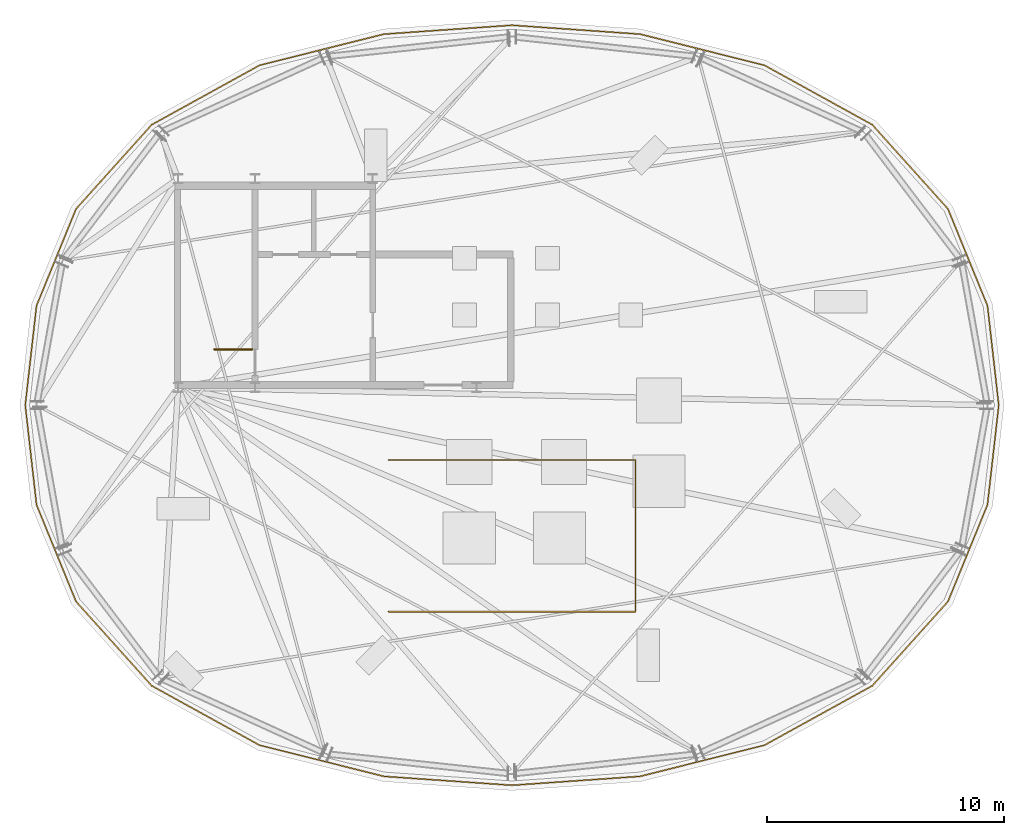
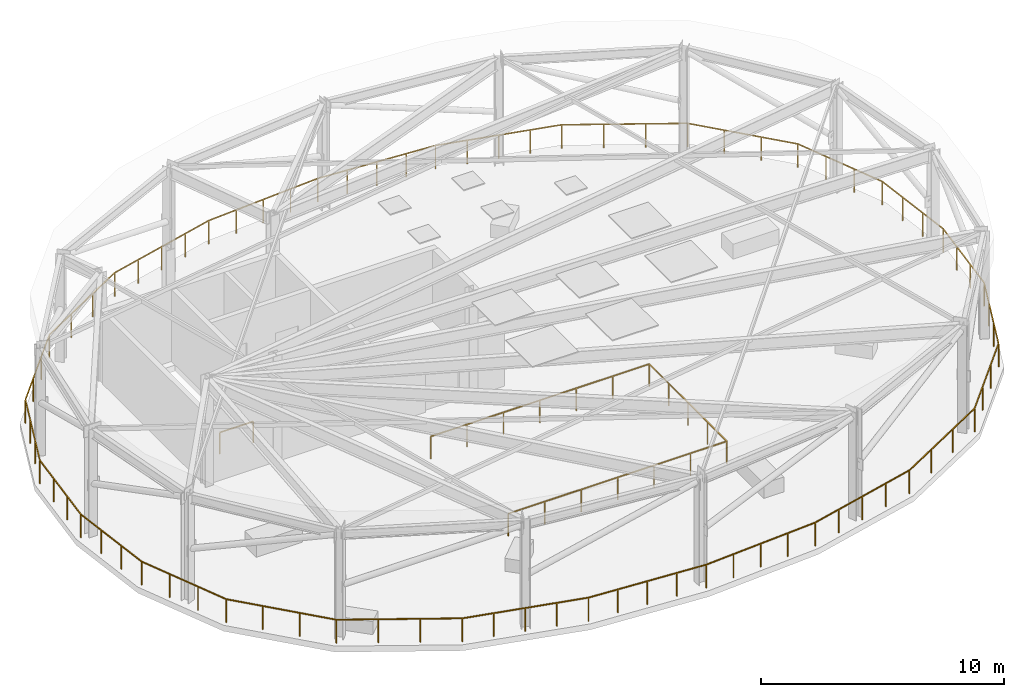
# One storey, part 6 of 6: 3 railings.
"""IFC4 building model written with IfcOpenShell, lengths in metres."""

from ifc_helpers import new_model, si_unit, direction, frame, origin, origin_2d, place, context, subcontext, project, spatial, rectangle, extrude, material, type_object, element, save


model = new_model("IFC4")

# Units and contexts
model_context = context("Model", 3, precision=1e-05, world=origin(), true_north=direction((0.0, 1.0)))
body_context = subcontext(model_context, "Body", "Model", "MODEL_VIEW")
ifc_project = project(units=[si_unit("LENGTHUNIT", "METRE"), si_unit("AREAUNIT", "SQUARE_METRE"), si_unit("VOLUMEUNIT", "CUBIC_METRE"), si_unit("PLANEANGLEUNIT", "RADIAN"), si_unit("MASSUNIT", "GRAM", prefix="KILO")], contexts=[model_context])

# Site, building, storey
site_placement = place(None, origin())
site = spatial("IfcSite", under=ifc_project, at=site_placement, CompositionType="ELEMENT")
building_placement = place(site_placement, origin())
building = spatial("IfcBuilding", under=site, at=building_placement, Name="Haldorwick Loom Tower", CompositionType="ELEMENT")
storey_placement = place(building_placement, frame((0.0, 0.0, 300.5)))
storey = spatial("IfcBuildingStorey", under=building, at=storey_placement, Name="RF", CompositionType="ELEMENT", Elevation=300.5)

# Railings
ifc_material_1 = material(Name="Galvanized Steel CSA G40.21 350W", Category="steel")
railing_type_1 = type_object("IfcRailingType", Name="ARC-RLG-BAL115", PredefinedType="BALUSTRADE", material=ifc_material_1)
railing_1_placement = place(storey_placement, frame((30.800048828125, 17.300048828125, 0.0)))
element("IfcRailing", 1, at=railing_1_placement, inside=storey, type_object=railing_type_1, Name="RF Atrium Lightwell Guardrail", PredefinedType="BALUSTRADE", context=body_context, shape_type="SweptSolid", body=[
    extrude(rectangle(XDim=0.048095703125, YDim=0.048095703125, at=origin_2d()), frame((0.0, 0.0, 1.1259765625), z_axis=(1.0, 0.0, 0.0), x_axis=(0.0, 1.0, 0.0)), (0.0, 0.0, 1.0), 10.39990234375),
    extrude(rectangle(XDim=0.048095703125, YDim=0.048095703125, at=origin_2d()), frame((10.39990234375, 0.0, 1.1259765625), z_axis=(0.0, 1.0, 0.0), x_axis=(-1.0, 0.0, 0.0)), (0.0, 0.0, 1.0), 6.39990234375),
    extrude(rectangle(XDim=0.048095703125, YDim=0.048095703125, at=origin_2d()), frame((10.39990234375, 6.39990234375, 1.1259765625), z_axis=(-1.0, 0.0, 0.0), x_axis=(0.0, -1.0, 0.0)), (0.0, 0.0, 1.0), 10.39990234375),
    extrude(rectangle(XDim=0.0419921875, YDim=0.0419921875, at=origin_2d()), origin(), (0.0, 0.0, 1.0), 1.101806640625),
    extrude(rectangle(XDim=0.0419921875, YDim=0.0419921875, at=origin_2d()), frame((1.7333984375, 0.0, 0.0)), (0.0, 0.0, 1.0), 1.101806640625),
    extrude(rectangle(XDim=0.0419921875, YDim=0.0419921875, at=origin_2d()), frame((3.466552734375, 0.0, 0.0)), (0.0, 0.0, 1.0), 1.101806640625),
    extrude(rectangle(XDim=0.0419921875, YDim=0.0419921875, at=origin_2d()), frame((5.199951171875, 0.0, 0.0)), (0.0, 0.0, 1.0), 1.101806640625),
    extrude(rectangle(XDim=0.0419921875, YDim=0.0419921875, at=origin_2d()), frame((6.933349609375, 0.0, 0.0)), (0.0, 0.0, 1.0), 1.101806640625),
    extrude(rectangle(XDim=0.0419921875, YDim=0.0419921875, at=origin_2d()), frame((8.66650390625, 0.0, 0.0)), (0.0, 0.0, 1.0), 1.101806640625),
    extrude(rectangle(XDim=0.0419921875, YDim=0.0419921875, at=origin_2d()), frame((10.39990234375, 0.0, 0.0)), (0.0, 0.0, 1.0), 1.101806640625),
    extrude(rectangle(XDim=0.0419921875, YDim=0.0419921875, at=origin_2d()), frame((10.39990234375, 1.60009765625, 0.0)), (0.0, 0.0, 1.0), 1.101806640625),
    extrude(rectangle(XDim=0.0419921875, YDim=0.0419921875, at=origin_2d()), frame((10.39990234375, 3.199951171875, 0.0)), (0.0, 0.0, 1.0), 1.101806640625),
    extrude(rectangle(XDim=0.0419921875, YDim=0.0419921875, at=origin_2d()), frame((10.39990234375, 4.7998046875, 0.0)), (0.0, 0.0, 1.0), 1.101806640625),
    extrude(rectangle(XDim=0.0419921875, YDim=0.0419921875, at=origin_2d()), frame((10.39990234375, 6.39990234375, 0.0)), (0.0, 0.0, 1.0), 1.101806640625),
    extrude(rectangle(XDim=0.0419921875, YDim=0.0419921875, at=origin_2d()), frame((8.66650390625, 6.39990234375, 0.0)), (0.0, 0.0, 1.0), 1.101806640625),
    extrude(rectangle(XDim=0.0419921875, YDim=0.0419921875, at=origin_2d()), frame((6.933349609375, 6.39990234375, 0.0)), (0.0, 0.0, 1.0), 1.101806640625),
    extrude(rectangle(XDim=0.0419921875, YDim=0.0419921875, at=origin_2d()), frame((5.199951171875, 6.39990234375, 0.0)), (0.0, 0.0, 1.0), 1.101806640625),
    extrude(rectangle(XDim=0.0419921875, YDim=0.0419921875, at=origin_2d()), frame((3.466552734375, 6.39990234375, 0.0)), (0.0, 0.0, 1.0), 1.101806640625),
    extrude(rectangle(XDim=0.0419921875, YDim=0.0419921875, at=origin_2d()), frame((1.7333984375, 6.39990234375, 0.0)), (0.0, 0.0, 1.0), 1.101806640625),
    extrude(rectangle(XDim=0.0419921875, YDim=0.0419921875, at=origin_2d()), frame((0.0, 6.39990234375, 0.0)), (0.0, 0.0, 1.0), 1.101806640625),
])
railing_type_2 = type_object("IfcRailingType", Name="ARC-RLG-BAL120", PredefinedType="BALUSTRADE", material=ifc_material_1)
railing_2_placement = place(storey_placement, frame((56.51220703125, 26.0, 0.0)))
element("IfcRailing", 2, at=railing_2_placement, inside=storey, type_object=railing_type_2, Name="RF Botanical Sky-Garden Perimeter Guardrail", PredefinedType="BALUSTRADE", context=body_context, shape_type="SweptSolid", body=[
    extrude(rectangle(XDim=0.048095703125, YDim=0.048095703125, at=origin_2d()), frame((0.0, 0.0, 1.17578125), z_axis=(-0.11255797656, -0.993645158954, 0.0), x_axis=(0.993645158954, -0.11255797656, 0.0)), (0.0, 0.0, 1.0), 4.220947265625),
    extrude(rectangle(XDim=0.048095703125, YDim=0.048095703125, at=origin_2d()), frame((-0.47509765625, -4.194091796875, 1.17578125), z_axis=(-0.377860155342, -0.925862680426, 0.0), x_axis=(0.925862680426, -0.377860155342, 0.0)), (0.0, 0.0, 1.0), 4.4052734375),
    extrude(rectangle(XDim=0.048095703125, YDim=0.048095703125, at=origin_2d()), frame((-2.1396484375, -8.272705078125, 1.17578125), z_axis=(-0.668614193504, -0.743609481008, 0.0), x_axis=(0.743609481008, -0.668614193504, 0.0)), (0.0, 0.0, 1.0), 4.7724609375),
    extrude(rectangle(XDim=0.048095703125, YDim=0.048095703125, at=origin_2d()), frame((-5.33056640625, -11.821533203125, 1.17578125), z_axis=(-0.87574980105, -0.48276524933, 0.0), x_axis=(0.48276524933, -0.87574980105, 0.0)), (0.0, 0.0, 1.0), 5.191162109375),
    extrude(rectangle(XDim=0.048095703125, YDim=0.048095703125, at=origin_2d()), frame((-9.876708984375, -14.32763671875, 1.17578125), z_axis=(-0.970081359185, -0.242780057998, 0.0), x_axis=(0.242780057998, -0.970081359185, 0.0)), (0.0, 0.0, 1.0), 5.405029296875),
    extrude(rectangle(XDim=0.048095703125, YDim=0.048095703125, at=origin_2d()), frame((-15.1201171875, -15.639892578125, 1.17578125), z_axis=(-0.997596640489, -0.069288836662, 0.0), x_axis=(0.069288836662, -0.997596640489, 0.0)), (0.0, 0.0, 1.0), 5.405029296875),
    extrude(rectangle(XDim=0.048095703125, YDim=0.048095703125, at=origin_2d()), frame((-20.51220703125, -16.014404296875, 1.17578125), z_axis=(-0.997596640489, 0.069288836662, 0.0), x_axis=(-0.069288836662, -0.997596640489, 0.0)), (0.0, 0.0, 1.0), 5.405029296875),
    extrude(rectangle(XDim=0.048095703125, YDim=0.048095703125, at=origin_2d()), frame((-25.904296875, -15.639892578125, 1.17578125), z_axis=(-0.970081359185, 0.242780057998, 0.0), x_axis=(-0.242780057998, -0.970081359185, 0.0)), (0.0, 0.0, 1.0), 5.405029296875),
    extrude(rectangle(XDim=0.048095703125, YDim=0.048095703125, at=origin_2d()), frame((-31.147705078125, -14.32763671875, 1.17578125), z_axis=(-0.87574980105, 0.48276524933, 0.0), x_axis=(-0.48276524933, -0.87574980105, 0.0)), (0.0, 0.0, 1.0), 5.191162109375),
    extrude(rectangle(XDim=0.048095703125, YDim=0.048095703125, at=origin_2d()), frame((-35.69384765625, -11.821533203125, 1.17578125), z_axis=(-0.668614193504, 0.743609481008, 0.0), x_axis=(-0.743609481008, -0.668614193504, 0.0)), (0.0, 0.0, 1.0), 4.7724609375),
    extrude(rectangle(XDim=0.048095703125, YDim=0.048095703125, at=origin_2d()), frame((-38.884765625, -8.272705078125, 1.17578125), z_axis=(-0.377860155342, 0.925862680426, 0.0), x_axis=(-0.925862680426, -0.377860155342, 0.0)), (0.0, 0.0, 1.0), 4.4052734375),
    extrude(rectangle(XDim=0.048095703125, YDim=0.048095703125, at=origin_2d()), frame((-40.54931640625, -4.194091796875, 1.17578125), z_axis=(-0.11255797656, 0.993645158954, 0.0), x_axis=(-0.993645158954, -0.11255797656, 0.0)), (0.0, 0.0, 1.0), 4.220947265625),
    extrude(rectangle(XDim=0.048095703125, YDim=0.048095703125, at=origin_2d()), frame((-41.0244140625, 0.0, 1.17578125), z_axis=(0.11255797656, 0.993645158954, 0.0), x_axis=(-0.993645158954, 0.11255797656, 0.0)), (0.0, 0.0, 1.0), 4.220947265625),
    extrude(rectangle(XDim=0.048095703125, YDim=0.048095703125, at=origin_2d()), frame((-40.54931640625, 4.194091796875, 1.17578125), z_axis=(0.377860155342, 0.925862680426, 0.0), x_axis=(-0.925862680426, 0.377860155342, 0.0)), (0.0, 0.0, 1.0), 4.4052734375),
    extrude(rectangle(XDim=0.048095703125, YDim=0.048095703125, at=origin_2d()), frame((-38.884765625, 8.272705078125, 1.17578125), z_axis=(0.668614193504, 0.743609481008, 0.0), x_axis=(-0.743609481008, 0.668614193504, 0.0)), (0.0, 0.0, 1.0), 4.7724609375),
    extrude(rectangle(XDim=0.048095703125, YDim=0.048095703125, at=origin_2d()), frame((-35.69384765625, 11.821533203125, 1.17578125), z_axis=(0.87574980105, 0.48276524933, 0.0), x_axis=(-0.48276524933, 0.87574980105, 0.0)), (0.0, 0.0, 1.0), 5.191162109375),
    extrude(rectangle(XDim=0.048095703125, YDim=0.048095703125, at=origin_2d()), frame((-31.147705078125, 14.32763671875, 1.17578125), z_axis=(0.970081359185, 0.242780057998, 0.0), x_axis=(-0.242780057998, 0.970081359185, 0.0)), (0.0, 0.0, 1.0), 5.405029296875),
    extrude(rectangle(XDim=0.048095703125, YDim=0.048095703125, at=origin_2d()), frame((-25.904296875, 15.639892578125, 1.17578125), z_axis=(0.997596640489, 0.069288836662, 0.0), x_axis=(-0.069288836662, 0.997596640489, 0.0)), (0.0, 0.0, 1.0), 5.405029296875),
    extrude(rectangle(XDim=0.048095703125, YDim=0.048095703125, at=origin_2d()), frame((-20.51220703125, 16.014404296875, 1.17578125), z_axis=(0.997596640489, -0.069288836662, 0.0), x_axis=(0.069288836662, 0.997596640489, 0.0)), (0.0, 0.0, 1.0), 5.405029296875),
    extrude(rectangle(XDim=0.048095703125, YDim=0.048095703125, at=origin_2d()), frame((-15.1201171875, 15.639892578125, 1.17578125), z_axis=(0.970081359185, -0.242780057998, 0.0), x_axis=(0.242780057998, 0.970081359185, 0.0)), (0.0, 0.0, 1.0), 5.405029296875),
    extrude(rectangle(XDim=0.048095703125, YDim=0.048095703125, at=origin_2d()), frame((-9.876708984375, 14.32763671875, 1.17578125), z_axis=(0.87574980105, -0.48276524933, 0.0), x_axis=(0.48276524933, 0.87574980105, 0.0)), (0.0, 0.0, 1.0), 5.191162109375),
    extrude(rectangle(XDim=0.048095703125, YDim=0.048095703125, at=origin_2d()), frame((-5.33056640625, 11.821533203125, 1.17578125), z_axis=(0.668614193504, -0.743609481008, 0.0), x_axis=(0.743609481008, 0.668614193504, 0.0)), (0.0, 0.0, 1.0), 4.7724609375),
    extrude(rectangle(XDim=0.048095703125, YDim=0.048095703125, at=origin_2d()), frame((-2.1396484375, 8.272705078125, 1.17578125), z_axis=(0.377860155342, -0.925862680426, 0.0), x_axis=(0.925862680426, 0.377860155342, 0.0)), (0.0, 0.0, 1.0), 4.4052734375),
    extrude(rectangle(XDim=0.048095703125, YDim=0.048095703125, at=origin_2d()), frame((-0.47509765625, 4.194091796875, 1.17578125), z_axis=(0.11255797656, -0.993645158954, 0.0), x_axis=(0.993645158954, 0.11255797656, 0.0)), (0.0, 0.0, 1.0), 4.220947265625),
    extrude(rectangle(XDim=0.0419921875, YDim=0.0419921875, at=origin_2d()), origin(), (0.0, 0.0, 1.0), 1.15185546875),
    extrude(rectangle(XDim=0.0419921875, YDim=0.0419921875, at=origin_2d()), frame((-0.158447265625, -1.39794921875, 0.0)), (0.0, 0.0, 1.0), 1.15185546875),
    extrude(rectangle(XDim=0.0419921875, YDim=0.0419921875, at=origin_2d()), frame((-0.316650390625, -2.796142578125, 0.0)), (0.0, 0.0, 1.0), 1.15185546875),
    extrude(rectangle(XDim=0.0419921875, YDim=0.0419921875, at=origin_2d()), frame((-0.47509765625, -4.194091796875, 0.0)), (0.0, 0.0, 1.0), 1.15185546875),
    extrude(rectangle(XDim=0.0419921875, YDim=0.0419921875, at=origin_2d()), frame((-1.030029296875, -5.5537109375, 0.0)), (0.0, 0.0, 1.0), 1.15185546875),
    extrude(rectangle(XDim=0.0419921875, YDim=0.0419921875, at=origin_2d()), frame((-1.584716796875, -6.9130859375, 0.0)), (0.0, 0.0, 1.0), 1.15185546875),
    extrude(rectangle(XDim=0.0419921875, YDim=0.0419921875, at=origin_2d()), frame((-2.1396484375, -8.272705078125, 0.0)), (0.0, 0.0, 1.0), 1.15185546875),
    extrude(rectangle(XDim=0.0419921875, YDim=0.0419921875, at=origin_2d()), frame((-3.203369140625, -9.45556640625, 0.0)), (0.0, 0.0, 1.0), 1.15185546875),
    extrude(rectangle(XDim=0.0419921875, YDim=0.0419921875, at=origin_2d()), frame((-4.266845703125, -10.638671875, 0.0)), (0.0, 0.0, 1.0), 1.15185546875),
    extrude(rectangle(XDim=0.0419921875, YDim=0.0419921875, at=origin_2d()), frame((-5.33056640625, -11.821533203125, 0.0)), (0.0, 0.0, 1.0), 1.15185546875),
    extrude(rectangle(XDim=0.0419921875, YDim=0.0419921875, at=origin_2d()), frame((-6.845947265625, -12.656982421875, 0.0)), (0.0, 0.0, 1.0), 1.15185546875),
    extrude(rectangle(XDim=0.0419921875, YDim=0.0419921875, at=origin_2d()), frame((-8.361328125, -13.4921875, 0.0)), (0.0, 0.0, 1.0), 1.15185546875),
    extrude(rectangle(XDim=0.0419921875, YDim=0.0419921875, at=origin_2d()), frame((-9.876708984375, -14.32763671875, 0.0)), (0.0, 0.0, 1.0), 1.15185546875),
    extrude(rectangle(XDim=0.0419921875, YDim=0.0419921875, at=origin_2d()), frame((-11.1875, -14.65576171875, 0.0)), (0.0, 0.0, 1.0), 1.15185546875),
    extrude(rectangle(XDim=0.0419921875, YDim=0.0419921875, at=origin_2d()), frame((-12.49853515625, -14.98388671875, 0.0)), (0.0, 0.0, 1.0), 1.15185546875),
    extrude(rectangle(XDim=0.0419921875, YDim=0.0419921875, at=origin_2d()), frame((-13.809326171875, -15.311767578125, 0.0)), (0.0, 0.0, 1.0), 1.15185546875),
    extrude(rectangle(XDim=0.0419921875, YDim=0.0419921875, at=origin_2d()), frame((-15.1201171875, -15.639892578125, 0.0)), (0.0, 0.0, 1.0), 1.15185546875),
    extrude(rectangle(XDim=0.0419921875, YDim=0.0419921875, at=origin_2d()), frame((-16.46826171875, -15.7333984375, 0.0)), (0.0, 0.0, 1.0), 1.15185546875),
    extrude(rectangle(XDim=0.0419921875, YDim=0.0419921875, at=origin_2d()), frame((-17.816162109375, -15.8271484375, 0.0)), (0.0, 0.0, 1.0), 1.15185546875),
    extrude(rectangle(XDim=0.0419921875, YDim=0.0419921875, at=origin_2d()), frame((-19.1640625, -15.9208984375, 0.0)), (0.0, 0.0, 1.0), 1.15185546875),
    extrude(rectangle(XDim=0.0419921875, YDim=0.0419921875, at=origin_2d()), frame((-20.51220703125, -16.014404296875, 0.0)), (0.0, 0.0, 1.0), 1.15185546875),
    extrude(rectangle(XDim=0.0419921875, YDim=0.0419921875, at=origin_2d()), frame((-21.8603515625, -15.9208984375, 0.0)), (0.0, 0.0, 1.0), 1.15185546875),
    extrude(rectangle(XDim=0.0419921875, YDim=0.0419921875, at=origin_2d()), frame((-23.208251953125, -15.8271484375, 0.0)), (0.0, 0.0, 1.0), 1.15185546875),
    extrude(rectangle(XDim=0.0419921875, YDim=0.0419921875, at=origin_2d()), frame((-24.55615234375, -15.7333984375, 0.0)), (0.0, 0.0, 1.0), 1.15185546875),
    extrude(rectangle(XDim=0.0419921875, YDim=0.0419921875, at=origin_2d()), frame((-25.904296875, -15.639892578125, 0.0)), (0.0, 0.0, 1.0), 1.15185546875),
    extrude(rectangle(XDim=0.0419921875, YDim=0.0419921875, at=origin_2d()), frame((-27.215087890625, -15.311767578125, 0.0)), (0.0, 0.0, 1.0), 1.15185546875),
    extrude(rectangle(XDim=0.0419921875, YDim=0.0419921875, at=origin_2d()), frame((-28.52587890625, -14.98388671875, 0.0)), (0.0, 0.0, 1.0), 1.15185546875),
    extrude(rectangle(XDim=0.0419921875, YDim=0.0419921875, at=origin_2d()), frame((-29.8369140625, -14.65576171875, 0.0)), (0.0, 0.0, 1.0), 1.15185546875),
    extrude(rectangle(XDim=0.0419921875, YDim=0.0419921875, at=origin_2d()), frame((-31.147705078125, -14.32763671875, 0.0)), (0.0, 0.0, 1.0), 1.15185546875),
    extrude(rectangle(XDim=0.0419921875, YDim=0.0419921875, at=origin_2d()), frame((-32.6630859375, -13.4921875, 0.0)), (0.0, 0.0, 1.0), 1.15185546875),
    extrude(rectangle(XDim=0.0419921875, YDim=0.0419921875, at=origin_2d()), frame((-34.178466796875, -12.656982421875, 0.0)), (0.0, 0.0, 1.0), 1.15185546875),
    extrude(rectangle(XDim=0.0419921875, YDim=0.0419921875, at=origin_2d()), frame((-35.69384765625, -11.821533203125, 0.0)), (0.0, 0.0, 1.0), 1.15185546875),
    extrude(rectangle(XDim=0.0419921875, YDim=0.0419921875, at=origin_2d()), frame((-36.757568359375, -10.638671875, 0.0)), (0.0, 0.0, 1.0), 1.15185546875),
    extrude(rectangle(XDim=0.0419921875, YDim=0.0419921875, at=origin_2d()), frame((-37.821044921875, -9.45556640625, 0.0)), (0.0, 0.0, 1.0), 1.15185546875),
    extrude(rectangle(XDim=0.0419921875, YDim=0.0419921875, at=origin_2d()), frame((-38.884765625, -8.272705078125, 0.0)), (0.0, 0.0, 1.0), 1.15185546875),
    extrude(rectangle(XDim=0.0419921875, YDim=0.0419921875, at=origin_2d()), frame((-39.439697265625, -6.9130859375, 0.0)), (0.0, 0.0, 1.0), 1.15185546875),
    extrude(rectangle(XDim=0.0419921875, YDim=0.0419921875, at=origin_2d()), frame((-39.994384765625, -5.5537109375, 0.0)), (0.0, 0.0, 1.0), 1.15185546875),
    extrude(rectangle(XDim=0.0419921875, YDim=0.0419921875, at=origin_2d()), frame((-40.54931640625, -4.194091796875, 0.0)), (0.0, 0.0, 1.0), 1.15185546875),
    extrude(rectangle(XDim=0.0419921875, YDim=0.0419921875, at=origin_2d()), frame((-40.707763671875, -2.796142578125, 0.0)), (0.0, 0.0, 1.0), 1.15185546875),
    extrude(rectangle(XDim=0.0419921875, YDim=0.0419921875, at=origin_2d()), frame((-40.865966796875, -1.39794921875, 0.0)), (0.0, 0.0, 1.0), 1.15185546875),
    extrude(rectangle(XDim=0.0419921875, YDim=0.0419921875, at=origin_2d()), frame((-41.0244140625, 0.0, 0.0)), (0.0, 0.0, 1.0), 1.15185546875),
    extrude(rectangle(XDim=0.0419921875, YDim=0.0419921875, at=origin_2d()), frame((-40.865966796875, 1.39794921875, 0.0)), (0.0, 0.0, 1.0), 1.15185546875),
    extrude(rectangle(XDim=0.0419921875, YDim=0.0419921875, at=origin_2d()), frame((-40.707763671875, 2.796142578125, 0.0)), (0.0, 0.0, 1.0), 1.15185546875),
    extrude(rectangle(XDim=0.0419921875, YDim=0.0419921875, at=origin_2d()), frame((-40.54931640625, 4.194091796875, 0.0)), (0.0, 0.0, 1.0), 1.15185546875),
    extrude(rectangle(XDim=0.0419921875, YDim=0.0419921875, at=origin_2d()), frame((-39.994384765625, 5.5537109375, 0.0)), (0.0, 0.0, 1.0), 1.15185546875),
    extrude(rectangle(XDim=0.0419921875, YDim=0.0419921875, at=origin_2d()), frame((-39.439697265625, 6.9130859375, 0.0)), (0.0, 0.0, 1.0), 1.15185546875),
    extrude(rectangle(XDim=0.0419921875, YDim=0.0419921875, at=origin_2d()), frame((-38.884765625, 8.272705078125, 0.0)), (0.0, 0.0, 1.0), 1.15185546875),
    extrude(rectangle(XDim=0.0419921875, YDim=0.0419921875, at=origin_2d()), frame((-37.821044921875, 9.45556640625, 0.0)), (0.0, 0.0, 1.0), 1.15185546875),
    extrude(rectangle(XDim=0.0419921875, YDim=0.0419921875, at=origin_2d()), frame((-36.757568359375, 10.638671875, 0.0)), (0.0, 0.0, 1.0), 1.15185546875),
    extrude(rectangle(XDim=0.0419921875, YDim=0.0419921875, at=origin_2d()), frame((-35.69384765625, 11.821533203125, 0.0)), (0.0, 0.0, 1.0), 1.15185546875),
    extrude(rectangle(XDim=0.0419921875, YDim=0.0419921875, at=origin_2d()), frame((-34.178466796875, 12.656982421875, 0.0)), (0.0, 0.0, 1.0), 1.15185546875),
    extrude(rectangle(XDim=0.0419921875, YDim=0.0419921875, at=origin_2d()), frame((-32.6630859375, 13.4921875, 0.0)), (0.0, 0.0, 1.0), 1.15185546875),
    extrude(rectangle(XDim=0.0419921875, YDim=0.0419921875, at=origin_2d()), frame((-31.147705078125, 14.32763671875, 0.0)), (0.0, 0.0, 1.0), 1.15185546875),
    extrude(rectangle(XDim=0.0419921875, YDim=0.0419921875, at=origin_2d()), frame((-29.8369140625, 14.65576171875, 0.0)), (0.0, 0.0, 1.0), 1.15185546875),
    extrude(rectangle(XDim=0.0419921875, YDim=0.0419921875, at=origin_2d()), frame((-28.52587890625, 14.98388671875, 0.0)), (0.0, 0.0, 1.0), 1.15185546875),
    extrude(rectangle(XDim=0.0419921875, YDim=0.0419921875, at=origin_2d()), frame((-27.215087890625, 15.311767578125, 0.0)), (0.0, 0.0, 1.0), 1.15185546875),
    extrude(rectangle(XDim=0.0419921875, YDim=0.0419921875, at=origin_2d()), frame((-25.904296875, 15.639892578125, 0.0)), (0.0, 0.0, 1.0), 1.15185546875),
    extrude(rectangle(XDim=0.0419921875, YDim=0.0419921875, at=origin_2d()), frame((-24.55615234375, 15.7333984375, 0.0)), (0.0, 0.0, 1.0), 1.15185546875),
    extrude(rectangle(XDim=0.0419921875, YDim=0.0419921875, at=origin_2d()), frame((-23.208251953125, 15.8271484375, 0.0)), (0.0, 0.0, 1.0), 1.15185546875),
    extrude(rectangle(XDim=0.0419921875, YDim=0.0419921875, at=origin_2d()), frame((-21.8603515625, 15.9208984375, 0.0)), (0.0, 0.0, 1.0), 1.15185546875),
    extrude(rectangle(XDim=0.0419921875, YDim=0.0419921875, at=origin_2d()), frame((-20.51220703125, 16.014404296875, 0.0)), (0.0, 0.0, 1.0), 1.15185546875),
    extrude(rectangle(XDim=0.0419921875, YDim=0.0419921875, at=origin_2d()), frame((-19.1640625, 15.9208984375, 0.0)), (0.0, 0.0, 1.0), 1.15185546875),
    extrude(rectangle(XDim=0.0419921875, YDim=0.0419921875, at=origin_2d()), frame((-17.816162109375, 15.8271484375, 0.0)), (0.0, 0.0, 1.0), 1.15185546875),
    extrude(rectangle(XDim=0.0419921875, YDim=0.0419921875, at=origin_2d()), frame((-16.46826171875, 15.7333984375, 0.0)), (0.0, 0.0, 1.0), 1.15185546875),
    extrude(rectangle(XDim=0.0419921875, YDim=0.0419921875, at=origin_2d()), frame((-15.1201171875, 15.639892578125, 0.0)), (0.0, 0.0, 1.0), 1.15185546875),
    extrude(rectangle(XDim=0.0419921875, YDim=0.0419921875, at=origin_2d()), frame((-13.809326171875, 15.311767578125, 0.0)), (0.0, 0.0, 1.0), 1.15185546875),
    extrude(rectangle(XDim=0.0419921875, YDim=0.0419921875, at=origin_2d()), frame((-12.49853515625, 14.98388671875, 0.0)), (0.0, 0.0, 1.0), 1.15185546875),
    extrude(rectangle(XDim=0.0419921875, YDim=0.0419921875, at=origin_2d()), frame((-11.1875, 14.65576171875, 0.0)), (0.0, 0.0, 1.0), 1.15185546875),
    extrude(rectangle(XDim=0.0419921875, YDim=0.0419921875, at=origin_2d()), frame((-9.876708984375, 14.32763671875, 0.0)), (0.0, 0.0, 1.0), 1.15185546875),
    extrude(rectangle(XDim=0.0419921875, YDim=0.0419921875, at=origin_2d()), frame((-8.361328125, 13.4921875, 0.0)), (0.0, 0.0, 1.0), 1.15185546875),
    extrude(rectangle(XDim=0.0419921875, YDim=0.0419921875, at=origin_2d()), frame((-6.845947265625, 12.656982421875, 0.0)), (0.0, 0.0, 1.0), 1.15185546875),
    extrude(rectangle(XDim=0.0419921875, YDim=0.0419921875, at=origin_2d()), frame((-5.33056640625, 11.821533203125, 0.0)), (0.0, 0.0, 1.0), 1.15185546875),
    extrude(rectangle(XDim=0.0419921875, YDim=0.0419921875, at=origin_2d()), frame((-4.266845703125, 10.638671875, 0.0)), (0.0, 0.0, 1.0), 1.15185546875),
    extrude(rectangle(XDim=0.0419921875, YDim=0.0419921875, at=origin_2d()), frame((-3.203369140625, 9.45556640625, 0.0)), (0.0, 0.0, 1.0), 1.15185546875),
    extrude(rectangle(XDim=0.0419921875, YDim=0.0419921875, at=origin_2d()), frame((-2.1396484375, 8.272705078125, 0.0)), (0.0, 0.0, 1.0), 1.15185546875),
    extrude(rectangle(XDim=0.0419921875, YDim=0.0419921875, at=origin_2d()), frame((-1.584716796875, 6.9130859375, 0.0)), (0.0, 0.0, 1.0), 1.15185546875),
    extrude(rectangle(XDim=0.0419921875, YDim=0.0419921875, at=origin_2d()), frame((-1.030029296875, 5.5537109375, 0.0)), (0.0, 0.0, 1.0), 1.15185546875),
    extrude(rectangle(XDim=0.0419921875, YDim=0.0419921875, at=origin_2d()), frame((-0.47509765625, 4.194091796875, 0.0)), (0.0, 0.0, 1.0), 1.15185546875),
    extrude(rectangle(XDim=0.0419921875, YDim=0.0419921875, at=origin_2d()), frame((-0.316650390625, 2.796142578125, 0.0)), (0.0, 0.0, 1.0), 1.15185546875),
    extrude(rectangle(XDim=0.0419921875, YDim=0.0419921875, at=origin_2d()), frame((-0.158447265625, 1.39794921875, 0.0)), (0.0, 0.0, 1.0), 1.15185546875),
])
ifc_material_2 = material(Name="Steel CSA G40.21 350W", Category="steel")
railing_type_3 = type_object("IfcRailingType", Name="ARC-RLG-GUARD112", PredefinedType="GUARDRAIL", material=ifc_material_2)
railing_3_placement = place(storey_placement, frame((25.050048828125, 28.35009765625, 0.0)))
element("IfcRailing", 3, at=railing_3_placement, inside=storey, type_object=railing_type_3, Name="RF ST-01 top well guard 1", PredefinedType="GUARDRAIL", context=body_context, shape_type="SweptSolid", body=[
    extrude(rectangle(XDim=0.048095703125, YDim=0.048095703125, at=origin_2d()), frame((0.0, 0.0, 1.076171875), z_axis=(-1.0, 0.0, 0.0), x_axis=(0.0, -1.0, 0.0)), (0.0, 0.0, 1.0), 1.60009765625),
    extrude(rectangle(XDim=0.0419921875, YDim=0.0419921875, at=origin_2d()), origin(), (0.0, 0.0, 1.0), 1.052001953125),
    extrude(rectangle(XDim=0.0419921875, YDim=0.0419921875, at=origin_2d()), frame((-1.60009765625, 0.0, 0.0)), (0.0, 0.0, 1.0), 1.052001953125),
])

save(model, "model.ifc")
